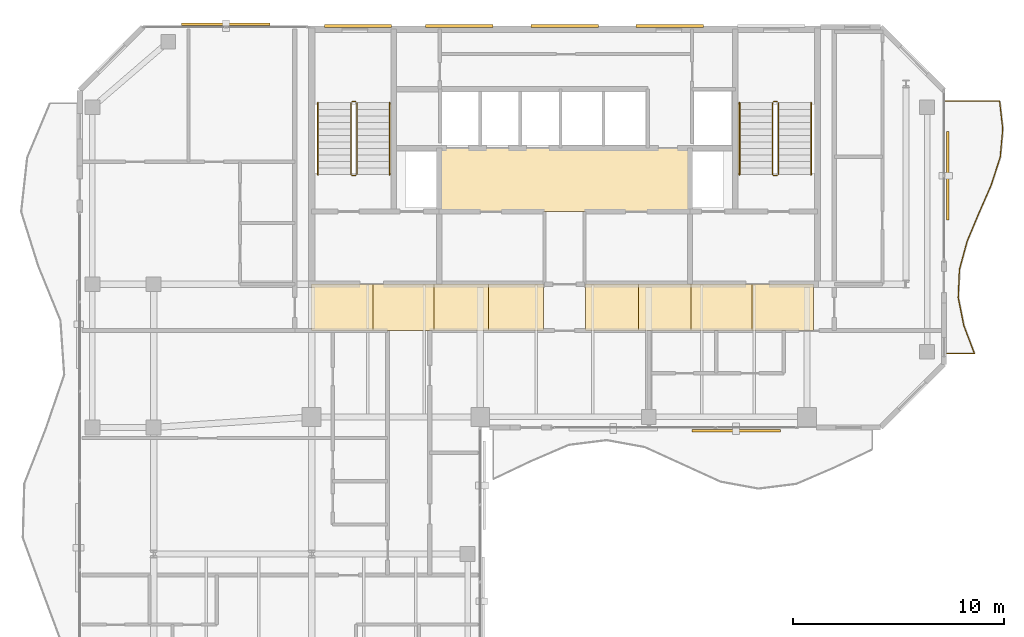
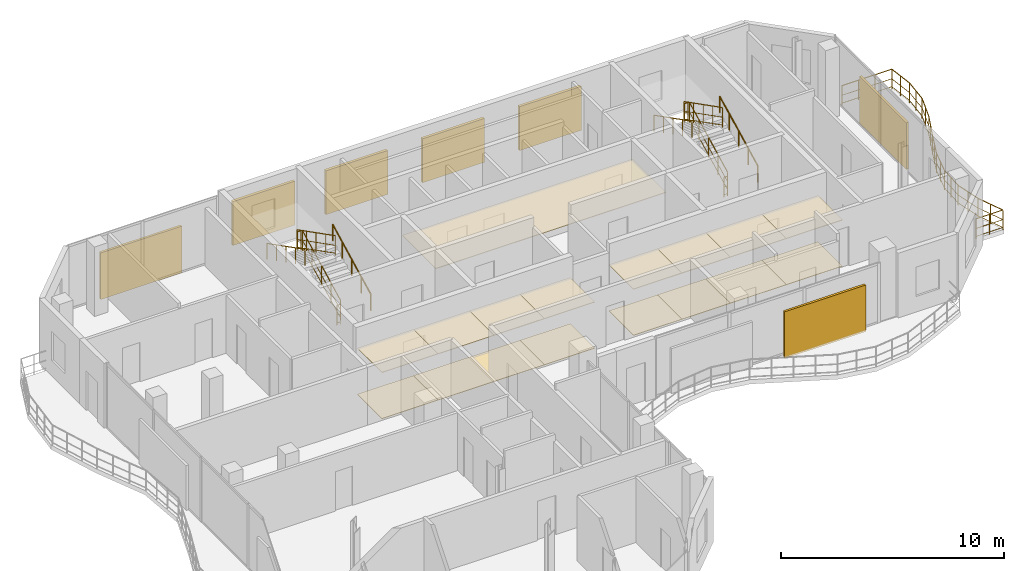
# One storey, part 22 of 23: 17 coverings, 13 railings, 7 shading devices.
"""IFC4 building model written with IfcOpenShell, lengths in metres."""

import ifcopenshell
import ifcopenshell.guid

model = None  # the IFC model being written
_history = None  # IfcOwnerHistory: only IFC2X3 demands one
_inside = {}  # id of a spatial element -> (the spatial element, [elements in it])
_under = {}  # id of a project, library or spatial element -> (it, [spatial elements below it])
_declared = {}  # id of a project -> (the project, [libraries it declares])
_typed = {}  # id of a type object -> (the type object, [elements of that type])
_made_of = {}  # id of a material, layer set ... -> (it, [elements and type objects made of it])


def new_model(schema):
    """Start an empty IFC model of exactly this schema.

    Asked for "IFC4X3", IfcOpenShell would pick the latest addendum, in which some entities
    have other attributes; the version numbers below select the first issue.
    IFC2X3 requires an IfcOwnerHistory on every rooted entity: one is made here for all.
    """
    global model, _history
    if schema == "IFC4X3":
        model = ifcopenshell.file(schema_version=(4, 3, 0, 0))
    else:
        model = ifcopenshell.file(schema=schema)
    _inside.clear()
    _under.clear()
    _declared.clear()
    _typed.clear()
    _made_of.clear()
    _history = None
    if model.schema == "IFC2X3":
        org = make("IfcOrganization", Name="unknown")
        user = make(
            "IfcPersonAndOrganization",
            ThePerson=make("IfcPerson", FamilyName="unknown"),
            TheOrganization=org,
        )
        app = make(
            "IfcApplication",
            ApplicationDeveloper=org,
            Version="unknown",
            ApplicationFullName="unknown",
            ApplicationIdentifier="unknown",
        )
        _history = make(
            "IfcOwnerHistory",
            OwningUser=user,
            OwningApplication=app,
            ChangeAction="ADDED",
            CreationDate=0,
        )
    return model


def make(cls, **values):
    """One entity of the class cls with the attributes given. An attribute that is None is left unset."""
    return model.create_entity(
        cls, **{name: value for name, value in values.items() if value is not None}
    )


def rooted(cls, **values):
    """An entity with a GlobalId (a new one), such as an element, a storey or a relation."""
    return make(cls, GlobalId=ifcopenshell.guid.new(), OwnerHistory=_history, **values)


def si_unit(unit_type, name, prefix=None):
    """IfcSIUnit, for example si_unit("LENGTHUNIT", "METRE", prefix="MILLI")."""
    return make("IfcSIUnit", UnitType=unit_type, Prefix=prefix, Name=name)


def assignment(units):
    """IfcUnitAssignment: the units of a project."""
    return None if units is None else make("IfcUnitAssignment", Units=units)


def point(xyz):
    """IfcCartesianPoint."""
    return None if xyz is None else make("IfcCartesianPoint", Coordinates=xyz)


def direction(xyz):
    """IfcDirection."""
    return None if xyz is None else make("IfcDirection", DirectionRatios=xyz)


def frame(location, z_axis=None, x_axis=None):
    """IfcAxis2Placement3D, a coordinate frame: its origin and axes. An axis left out is left unset."""
    return make(
        "IfcAxis2Placement3D",
        Location=point(location),
        Axis=direction(z_axis),
        RefDirection=direction(x_axis),
    )


def frame_2d(location, x_axis=None):
    """IfcAxis2Placement2D, a coordinate frame in the plane: its origin and x axis."""
    return make(
        "IfcAxis2Placement2D", Location=point(location), RefDirection=direction(x_axis)
    )


def origin():
    """The frame at (0, 0, 0) with its axes left unset."""
    return frame((0.0, 0.0, 0.0))


def origin_2d():
    """The frame at (0, 0) in the plane with its x axis left unset."""
    return frame_2d((0.0, 0.0))


def place(relative_to, where):
    """IfcLocalPlacement: puts the frame where relative to a parent placement (None: the world)."""
    return make(
        "IfcLocalPlacement", PlacementRelTo=relative_to, RelativePlacement=where
    )


def context(
    kind, dimensions, precision=None, world=None, true_north=None, identifier=None
):
    """IfcGeometricRepresentationContext, for example the 3D "Model" context."""
    return make(
        "IfcGeometricRepresentationContext",
        ContextIdentifier=identifier,
        ContextType=kind,
        CoordinateSpaceDimension=dimensions,
        Precision=precision,
        WorldCoordinateSystem=world,
        TrueNorth=true_north,
    )


def subcontext(parent, identifier, kind, view, scale=None):
    """IfcGeometricRepresentationSubContext, for example "Body" below "Model"."""
    return make(
        "IfcGeometricRepresentationSubContext",
        ContextIdentifier=identifier,
        ContextType=kind,
        ParentContext=parent,
        TargetScale=scale,
        TargetView=view,
    )


def project(units=None, contexts=None):
    """IfcProject with its units and contexts."""
    return rooted(
        "IfcProject",
        Name="project",
        RepresentationContexts=contexts,
        UnitsInContext=assignment(units),
    )


def spatial(cls, under=None, at=None, **own):
    """A site, building, storey or space (cls), placed at a placement, below another one or the project."""
    s = rooted(cls, ObjectPlacement=at, **own)
    if under is not None:
        _under.setdefault(under.id(), (under, []))[1].append(s)
    return s


def polyline(points):
    """IfcPolyline through the points."""
    return make("IfcPolyline", Points=[point(p) for p in points])


def profile(cls, at=None, kind="AREA", **sizes):
    """A parametric profile (cls). Its sizes go by their IFC names, for example OverallWidth=200.0."""
    return make(cls, ProfileType=kind, Position=at, **sizes)


def rectangle(**sizes):
    """IfcRectangleProfileDef."""
    return profile("IfcRectangleProfileDef", **sizes)


def circle(**sizes):
    """IfcCircleProfileDef."""
    return profile("IfcCircleProfileDef", **sizes)


def outline(outer, holes=None, kind="AREA"):
    """IfcArbitraryClosedProfileDef: a profile drawn as a closed curve; with holes, ...WithVoids."""
    if holes is None:
        return make("IfcArbitraryClosedProfileDef", ProfileType=kind, OuterCurve=outer)
    return make(
        "IfcArbitraryProfileDefWithVoids",
        ProfileType=kind,
        OuterCurve=outer,
        InnerCurves=holes,
    )


def extrude(swept, where, along, depth):
    """IfcExtrudedAreaSolid: the profile swept, set in the frame where, extruded along a direction by depth."""
    return make(
        "IfcExtrudedAreaSolid",
        SweptArea=swept,
        Position=where,
        ExtrudedDirection=direction(along),
        Depth=depth,
    )


def shape(context_of_items, identifier, shape_type, items):
    """IfcShapeRepresentation: the items that make up one representation, for example the "Body"."""
    return make(
        "IfcShapeRepresentation",
        ContextOfItems=context_of_items,
        RepresentationIdentifier=identifier,
        RepresentationType=shape_type,
        Items=items,
    )


def material(Name=None, Category=None):
    """IfcMaterial."""
    return make("IfcMaterial", Name=Name, Category=Category)


def layer(
    of_material, thickness, ventilated=None, Name=None, Category=None, Priority=None
):
    """IfcMaterialLayer: one layer of a wall or slab, of a material (None: an air gap)."""
    return make(
        "IfcMaterialLayer",
        Material=of_material,
        LayerThickness=thickness,
        IsVentilated=ventilated,
        Name=Name,
        Category=Category,
        Priority=Priority,
    )


def layer_set(layers, Name=None):
    """IfcMaterialLayerSet."""
    return make("IfcMaterialLayerSet", MaterialLayers=layers, LayerSetName=Name)


def made_of(thing, what):
    """Note that an element or type object is made of a material, layer set ...; save() writes the relation."""
    if what is not None:
        _made_of.setdefault(what.id(), (what, []))[1].append(thing)
    return thing


def type_object(cls, material=None, **own):
    """A type object (cls), such as IfcWallType, which elements share."""
    return made_of(rooted(cls, **own), material)


def element(
    cls,
    number,
    at=None,
    inside=None,
    cuts=None,
    type_object=None,
    material=None,
    context=None,
    identifier="Body",
    shape_type=None,
    held_by="IfcProductDefinitionShape",
    body=None,
    shapes=None,
    **own,
):
    """One element of the class cls, such as IfcWall. Its Tag is "e" and its number.

    at: its placement. inside: the storey or other place that contains it. cuts: it is an
    opening in that element (IfcRelVoidsElement). A single representation is given by context,
    identifier, shape_type and body (its items); several are given by shapes. held_by: the class
    of the entity that holds the representations. save() writes the other relations.
    """
    e = rooted(cls, Tag="e%d" % number, ObjectPlacement=at, **own)
    if body is not None:
        shapes = [shape(context, identifier, shape_type, body)]
    if shapes is not None:
        e.Representation = make(held_by, Representations=shapes)
    if inside is not None:
        _inside.setdefault(inside.id(), (inside, []))[1].append(e)
    if cuts is not None:
        rooted(
            "IfcRelVoidsElement", RelatingBuildingElement=cuts, RelatedOpeningElement=e
        )
    if type_object is not None:
        _typed.setdefault(type_object.id(), (type_object, []))[1].append(e)
    return made_of(e, material)


def aggregate(whole, parts):
    """IfcRelAggregates: a whole, such as a stair, and the parts it consists of."""
    return rooted("IfcRelAggregates", RelatingObject=whole, RelatedObjects=parts)


def save(model, path):
    """Write the relations noted so far, then the file.

    IfcRelAggregates (storeys below a building ...), IfcRelContainedInSpatialStructure (elements
    in a storey), IfcRelDefinesByType, IfcRelAssociatesMaterial and IfcRelDeclares: one each for
    every whole, place, type object, material and project.
    """
    for whole, parts in _under.values():
        aggregate(whole, parts)
    for where, things in _inside.values():
        rooted(
            "IfcRelContainedInSpatialStructure",
            RelatedElements=things,
            RelatingStructure=where,
        )
    for kind, things in _typed.values():
        rooted("IfcRelDefinesByType", RelatedObjects=things, RelatingType=kind)
    for what, things in _made_of.values():
        rooted("IfcRelAssociatesMaterial", RelatedObjects=things, RelatingMaterial=what)
    for by, libraries in _declared.values():
        rooted("IfcRelDeclares", RelatingContext=by, RelatedDefinitions=libraries)
    model.write(path)


model = new_model("IFC4")

# Units and contexts
model_context = context("Model", 3, precision=1e-05, world=origin(), true_north=direction((0.0, 1.0)))
body_context = subcontext(model_context, "Body", "Model", "MODEL_VIEW")
ifc_project = project(units=[si_unit("LENGTHUNIT", "METRE"), si_unit("AREAUNIT", "SQUARE_METRE"), si_unit("VOLUMEUNIT", "CUBIC_METRE"), si_unit("PLANEANGLEUNIT", "RADIAN"), si_unit("MASSUNIT", "GRAM", prefix="KILO")], contexts=[model_context])

# Site, building, storey
site_placement = place(None, origin())
site = spatial("IfcSite", under=ifc_project, at=site_placement, CompositionType="ELEMENT")
building_placement = place(site_placement, origin())
building = spatial("IfcBuilding", under=site, at=building_placement, Name="Catumbela Crestline Tower", CompositionType="ELEMENT")
storey_placement = place(building_placement, frame((0.0, 0.0, 252.6)))
storey = spatial("IfcBuildingStorey", under=building, at=storey_placement, Name="L65", CompositionType="ELEMENT", Elevation=252.6)

# Coverings
ifc_material_1 = material(Name="Mineral-fibre acoustic ceiling")
ifc_layer_1 = layer(ifc_material_1, 0.03, Name="Mineral-fibre acoustic ceiling")
ifc_layer_set_1 = layer_set([ifc_layer_1], Name="Mineral-fibre acoustic ceiling")
covering_type_1 = type_object("IfcCoveringType", Name="CC-AC", PredefinedType="CEILING", material=ifc_layer_set_1)
covering_1_placement = place(storey_placement, frame((0.0, 0.0, 2.65)))
element("IfcCovering", 1, at=covering_1_placement, inside=storey, type_object=covering_type_1, Name="L65 Lift Lobby Acoustic Ceiling", PredefinedType="CEILING", context=body_context, shape_type="SweptSolid", body=[
    extrude(outline(polyline([(22.05, 34.25), (33.95, 34.25), (33.95, 37.25), (22.05, 37.25), (22.05, 34.25)])), origin(), (0.0, 0.0, 1.0), 0.03),
])
covering_2_placement = place(storey_placement, frame((0.0, 0.0, 2.52)))
element("IfcCovering", 2, at=covering_2_placement, inside=storey, type_object=covering_type_1, Name="L65 Corridor Acoustic Ceiling Bay 1", PredefinedType="CEILING", context=body_context, shape_type="SweptSolid", body=[
    extrude(outline(polyline([(16.0, 28.6), (18.9, 28.6), (18.9, 30.8), (16.0, 30.8), (16.0, 28.6)])), origin(), (0.0, 0.0, 1.0), 0.03),
])
covering_3_placement = place(storey_placement, frame((0.0, 0.0, 2.52)))
element("IfcCovering", 3, at=covering_3_placement, inside=storey, type_object=covering_type_1, Name="L65 Corridor Acoustic Ceiling Bay 2", PredefinedType="CEILING", context=body_context, shape_type="SweptSolid", body=[
    extrude(outline(polyline([(18.9, 28.6), (21.8, 28.6), (21.8, 30.8), (18.9, 30.8), (18.9, 28.6)])), origin(), (0.0, 0.0, 1.0), 0.03),
])
covering_4_placement = place(storey_placement, frame((0.0, 0.0, 2.52)))
element("IfcCovering", 4, at=covering_4_placement, inside=storey, type_object=covering_type_1, Name="L65 Corridor Acoustic Ceiling Bay 3", PredefinedType="CEILING", context=body_context, shape_type="SweptSolid", body=[
    extrude(outline(polyline([(21.8, 28.6), (24.4, 28.6), (24.4, 30.8), (21.8, 30.8), (21.8, 28.6)])), origin(), (0.0, 0.0, 1.0), 0.03),
])
covering_5_placement = place(storey_placement, frame((0.0, 0.0, 2.52)))
element("IfcCovering", 5, at=covering_5_placement, inside=storey, type_object=covering_type_1, Name="L65 Corridor Acoustic Ceiling Bay 4", PredefinedType="CEILING", context=body_context, shape_type="SweptSolid", body=[
    extrude(outline(polyline([(24.4, 28.6), (27.0, 28.6), (27.0, 30.8), (24.4, 30.8), (24.4, 28.6)])), origin(), (0.0, 0.0, 1.0), 0.03),
])
covering_6_placement = place(storey_placement, frame((0.0, 0.0, 2.52)))
element("IfcCovering", 6, at=covering_6_placement, inside=storey, type_object=covering_type_1, Name="L65 Corridor Acoustic Ceiling Bay 5", PredefinedType="CEILING", context=body_context, shape_type="SweptSolid", body=[
    extrude(outline(polyline([(29.0, 28.6), (31.5, 28.6), (31.5, 30.8), (29.0, 30.8), (29.0, 28.6)])), origin(), (0.0, 0.0, 1.0), 0.03),
])
covering_7_placement = place(storey_placement, frame((0.0, 0.0, 2.52)))
element("IfcCovering", 7, at=covering_7_placement, inside=storey, type_object=covering_type_1, Name="L65 Corridor Acoustic Ceiling Bay 6", PredefinedType="CEILING", context=body_context, shape_type="SweptSolid", body=[
    extrude(outline(polyline([(31.5, 28.6), (34.0, 28.6), (34.0, 30.8), (31.5, 30.8), (31.5, 28.6)])), origin(), (0.0, 0.0, 1.0), 0.03),
])
covering_8_placement = place(storey_placement, frame((0.0, 0.0, 2.52)))
element("IfcCovering", 8, at=covering_8_placement, inside=storey, type_object=covering_type_1, Name="L65 Corridor Acoustic Ceiling Bay 7", PredefinedType="CEILING", context=body_context, shape_type="SweptSolid", body=[
    extrude(outline(polyline([(34.0, 28.6), (36.9, 28.6), (36.9, 30.8), (34.0, 30.8), (34.0, 28.6)])), origin(), (0.0, 0.0, 1.0), 0.03),
])
covering_9_placement = place(storey_placement, frame((0.0, 0.0, 2.52)))
element("IfcCovering", 9, at=covering_9_placement, inside=storey, type_object=covering_type_1, Name="L65 Corridor Acoustic Ceiling Bay 8", PredefinedType="CEILING", context=body_context, shape_type="SweptSolid", body=[
    extrude(outline(polyline([(36.9, 28.6), (39.8, 28.6), (39.8, 30.8), (36.9, 30.8), (36.9, 28.6)])), origin(), (0.0, 0.0, 1.0), 0.03),
])
ifc_material_2 = material(Name="Angolan grey-ochre granite", Category="masonry")
ifc_layer_2 = layer(ifc_material_2, 0.025, Name="Angolan grey-ochre granite")
ifc_layer_set_2 = layer_set([ifc_layer_2], Name="Angolan grey-ochre granite")
covering_type_2 = type_object("IfcCoveringType", Name="CF-GR", PredefinedType="FLOORING", material=ifc_layer_set_2)
covering_10_placement = place(storey_placement, origin())
element("IfcCovering", 10, at=covering_10_placement, inside=storey, type_object=covering_type_2, Name="L65 Corridor Granite Flooring Bay 1", PredefinedType="FLOORING", context=body_context, shape_type="SweptSolid", body=[
    extrude(outline(polyline([(16.0, 28.6), (18.9, 28.6), (18.9, 30.8), (16.0, 30.8), (16.0, 28.6)])), origin(), (0.0, 0.0, 1.0), 0.025),
])
covering_11_placement = place(storey_placement, origin())
element("IfcCovering", 11, at=covering_11_placement, inside=storey, type_object=covering_type_2, Name="L65 Corridor Granite Flooring Bay 2", PredefinedType="FLOORING", context=body_context, shape_type="SweptSolid", body=[
    extrude(outline(polyline([(18.9, 28.6), (21.8, 28.6), (21.8, 30.8), (18.9, 30.8), (18.9, 28.6)])), origin(), (0.0, 0.0, 1.0), 0.025),
])
covering_12_placement = place(storey_placement, origin())
element("IfcCovering", 12, at=covering_12_placement, inside=storey, type_object=covering_type_2, Name="L65 Corridor Granite Flooring Bay 3", PredefinedType="FLOORING", context=body_context, shape_type="SweptSolid", body=[
    extrude(outline(polyline([(21.8, 28.6), (24.4, 28.6), (24.4, 30.8), (21.8, 30.8), (21.8, 28.6)])), origin(), (0.0, 0.0, 1.0), 0.025),
])
covering_13_placement = place(storey_placement, origin())
element("IfcCovering", 13, at=covering_13_placement, inside=storey, type_object=covering_type_2, Name="L65 Corridor Granite Flooring Bay 4", PredefinedType="FLOORING", context=body_context, shape_type="SweptSolid", body=[
    extrude(outline(polyline([(24.4, 28.6), (27.0, 28.6), (27.0, 30.8), (24.4, 30.8), (24.4, 28.6)])), origin(), (0.0, 0.0, 1.0), 0.025),
])
covering_14_placement = place(storey_placement, origin())
element("IfcCovering", 14, at=covering_14_placement, inside=storey, type_object=covering_type_2, Name="L65 Corridor Granite Flooring Bay 5", PredefinedType="FLOORING", context=body_context, shape_type="SweptSolid", body=[
    extrude(outline(polyline([(29.0, 28.6), (31.5, 28.6), (31.5, 30.8), (29.0, 30.8), (29.0, 28.6)])), origin(), (0.0, 0.0, 1.0), 0.025),
])
covering_15_placement = place(storey_placement, origin())
element("IfcCovering", 15, at=covering_15_placement, inside=storey, type_object=covering_type_2, Name="L65 Corridor Granite Flooring Bay 6", PredefinedType="FLOORING", context=body_context, shape_type="SweptSolid", body=[
    extrude(outline(polyline([(31.5, 28.6), (34.0, 28.6), (34.0, 30.8), (31.5, 30.8), (31.5, 28.6)])), origin(), (0.0, 0.0, 1.0), 0.025),
])
covering_16_placement = place(storey_placement, origin())
element("IfcCovering", 16, at=covering_16_placement, inside=storey, type_object=covering_type_2, Name="L65 Corridor Granite Flooring Bay 7", PredefinedType="FLOORING", context=body_context, shape_type="SweptSolid", body=[
    extrude(outline(polyline([(34.0, 28.6), (36.9, 28.6), (36.9, 30.8), (34.0, 30.8), (34.0, 28.6)])), origin(), (0.0, 0.0, 1.0), 0.025),
])
covering_17_placement = place(storey_placement, origin())
element("IfcCovering", 17, at=covering_17_placement, inside=storey, type_object=covering_type_2, Name="L65 Corridor Granite Flooring Bay 8", PredefinedType="FLOORING", context=body_context, shape_type="SweptSolid", body=[
    extrude(outline(polyline([(36.9, 28.6), (39.8, 28.6), (39.8, 30.8), (36.9, 30.8), (36.9, 28.6)])), origin(), (0.0, 0.0, 1.0), 0.025),
])

# Railings
ifc_material_3 = material(Name="Stainless steel EN 1.4401", Category="steel")
railing_type_1 = type_object("IfcRailingType", Name="RB-1100", PredefinedType="BALUSTRADE", material=ifc_material_3)
railing_1_placement = place(storey_placement, frame((46.06, 27.5, 0.0)))
element("IfcRailing", 18, at=railing_1_placement, inside=storey, type_object=railing_type_1, Name="L65 Private Wave Balcony Balustrade 2", PredefinedType="BALUSTRADE", context=body_context, shape_type="SweptSolid", body=[
    extrude(circle(Radius=0.024, at=origin_2d()), frame((0.0, 0.0, 1.076), z_axis=(1.0, 0.0, 0.0), x_axis=(0.0, 1.0, 0.0)), (0.0, 0.0, 1.0), 1.3902),
    extrude(circle(Radius=0.0156, at=origin_2d()), frame((0.0, 0.0, 0.55), z_axis=(1.0, 0.0, 0.0), x_axis=(0.0, 1.0, 0.0)), (0.0, 0.0, 1.0), 1.3902),
    extrude(circle(Radius=0.0156, at=origin_2d()), frame((0.0, 0.0, 0.12), z_axis=(1.0, 0.0, 0.0), x_axis=(0.0, 1.0, 0.0)), (0.0, 0.0, 1.0), 1.3902),
    extrude(circle(Radius=0.024, at=origin_2d()), frame((1.3902, 0.0, 1.076), z_axis=(-0.355613430539, 0.934633130175, 0.0), x_axis=(-0.934633130175, -0.355613430539, 0.0)), (0.0, 0.0, 1.0), 1.4265),
    extrude(circle(Radius=0.0156, at=origin_2d()), frame((1.3902, 0.0, 0.55), z_axis=(-0.355613430539, 0.934633130175, 0.0), x_axis=(-0.934633130175, -0.355613430539, 0.0)), (0.0, 0.0, 1.0), 1.4265),
    extrude(circle(Radius=0.0156, at=origin_2d()), frame((1.3902, 0.0, 0.12), z_axis=(-0.355613430539, 0.934633130175, 0.0), x_axis=(-0.934633130175, -0.355613430539, 0.0)), (0.0, 0.0, 1.0), 1.4265),
    extrude(circle(Radius=0.024, at=origin_2d()), frame((0.8829, 1.3333, 1.076), z_axis=(-0.194927752312, 0.980817603522, 0.0), x_axis=(-0.980817603522, -0.194927752312, 0.0)), (0.0, 0.0, 1.0), 1.3595),
    extrude(circle(Radius=0.0156, at=origin_2d()), frame((0.8829, 1.3333, 0.55), z_axis=(-0.194927752312, 0.980817603522, 0.0), x_axis=(-0.980817603522, -0.194927752312, 0.0)), (0.0, 0.0, 1.0), 1.3595),
    extrude(circle(Radius=0.0156, at=origin_2d()), frame((0.8829, 1.3333, 0.12), z_axis=(-0.194927752312, 0.980817603522, 0.0), x_axis=(-0.980817603522, -0.194927752312, 0.0)), (0.0, 0.0, 1.0), 1.3595),
    extrude(circle(Radius=0.024, at=origin_2d()), frame((0.6179, 2.6667, 1.076), z_axis=(0.043235614594, 0.999064903613, 0.0), x_axis=(-0.999064903613, 0.043235614594, 0.0)), (0.0, 0.0, 1.0), 1.3345),
    extrude(circle(Radius=0.0156, at=origin_2d()), frame((0.6179, 2.6667, 0.55), z_axis=(0.043235614594, 0.999064903613, 0.0), x_axis=(-0.999064903613, 0.043235614594, 0.0)), (0.0, 0.0, 1.0), 1.3345),
    extrude(circle(Radius=0.0156, at=origin_2d()), frame((0.6179, 2.6667, 0.12), z_axis=(0.043235614594, 0.999064903613, 0.0), x_axis=(-0.999064903613, 0.043235614594, 0.0)), (0.0, 0.0, 1.0), 1.3345),
    extrude(circle(Radius=0.024, at=origin_2d()), frame((0.6756, 4.0, 1.076), z_axis=(0.262694864344, 0.964878960413, 0.0), x_axis=(-0.964878960413, 0.262694864344, 0.0)), (0.0, 0.0, 1.0), 1.3818),
    extrude(circle(Radius=0.0156, at=origin_2d()), frame((0.6756, 4.0, 0.55), z_axis=(0.262694864344, 0.964878960413, 0.0), x_axis=(-0.964878960413, 0.262694864344, 0.0)), (0.0, 0.0, 1.0), 1.3818),
    extrude(circle(Radius=0.0156, at=origin_2d()), frame((0.6756, 4.0, 0.12), z_axis=(0.262694864344, 0.964878960413, 0.0), x_axis=(-0.964878960413, 0.262694864344, 0.0)), (0.0, 0.0, 1.0), 1.3818),
    extrude(circle(Radius=0.024, at=origin_2d()), frame((1.0386, 5.3333, 1.076), z_axis=(0.385980642266, 0.922506880081, 0.0), x_axis=(-0.922506880081, 0.385980642266, 0.0)), (0.0, 0.0, 1.0), 1.4454),
    extrude(circle(Radius=0.0156, at=origin_2d()), frame((1.0386, 5.3333, 0.55), z_axis=(0.385980642266, 0.922506880081, 0.0), x_axis=(-0.922506880081, 0.385980642266, 0.0)), (0.0, 0.0, 1.0), 1.4454),
    extrude(circle(Radius=0.0156, at=origin_2d()), frame((1.0386, 5.3333, 0.12), z_axis=(0.385980642266, 0.922506880081, 0.0), x_axis=(-0.922506880081, 0.385980642266, 0.0)), (0.0, 0.0, 1.0), 1.4454),
    extrude(circle(Radius=0.024, at=origin_2d()), frame((1.5965, 6.6667, 1.076), z_axis=(0.400808020005, 0.916162065957, 0.0), x_axis=(-0.916162065957, 0.400808020005, 0.0)), (0.0, 0.0, 1.0), 1.4553),
    extrude(circle(Radius=0.0156, at=origin_2d()), frame((1.5965, 6.6667, 0.55), z_axis=(0.400808020005, 0.916162065957, 0.0), x_axis=(-0.916162065957, 0.400808020005, 0.0)), (0.0, 0.0, 1.0), 1.4553),
    extrude(circle(Radius=0.0156, at=origin_2d()), frame((1.5965, 6.6667, 0.12), z_axis=(0.400808020005, 0.916162065957, 0.0), x_axis=(-0.916162065957, 0.400808020005, 0.0)), (0.0, 0.0, 1.0), 1.4553),
    extrude(circle(Radius=0.024, at=origin_2d()), frame((2.1798, 8.0, 1.076), z_axis=(0.307844984535, 0.951436527308, 0.0), x_axis=(-0.951436527308, 0.307844984535, 0.0)), (0.0, 0.0, 1.0), 1.4014),
    extrude(circle(Radius=0.0156, at=origin_2d()), frame((2.1798, 8.0, 0.55), z_axis=(0.307844984535, 0.951436527308, 0.0), x_axis=(-0.951436527308, 0.307844984535, 0.0)), (0.0, 0.0, 1.0), 1.4014),
    extrude(circle(Radius=0.0156, at=origin_2d()), frame((2.1798, 8.0, 0.12), z_axis=(0.307844984535, 0.951436527308, 0.0), x_axis=(-0.951436527308, 0.307844984535, 0.0)), (0.0, 0.0, 1.0), 1.4014),
    extrude(circle(Radius=0.024, at=origin_2d()), frame((2.6112, 9.3333, 1.076), z_axis=(0.088744015739, 0.996054466217, 0.0), x_axis=(-0.996054466217, 0.088744015739, 0.0)), (0.0, 0.0, 1.0), 1.3387),
    extrude(circle(Radius=0.0156, at=origin_2d()), frame((2.6112, 9.3333, 0.55), z_axis=(0.088744015739, 0.996054466217, 0.0), x_axis=(-0.996054466217, 0.088744015739, 0.0)), (0.0, 0.0, 1.0), 1.3387),
    extrude(circle(Radius=0.0156, at=origin_2d()), frame((2.6112, 9.3333, 0.12), z_axis=(0.088744015739, 0.996054466217, 0.0), x_axis=(-0.996054466217, 0.088744015739, 0.0)), (0.0, 0.0, 1.0), 1.3387),
    extrude(circle(Radius=0.024, at=origin_2d()), frame((2.73, 10.6667, 1.076), z_axis=(-0.111871132295, 0.993722722775, 0.0), x_axis=(-0.993722722775, -0.111871132295, 0.0)), (0.0, 0.0, 1.0), 1.3417),
    extrude(circle(Radius=0.0156, at=origin_2d()), frame((2.73, 10.6667, 0.55), z_axis=(-0.111871132295, 0.993722722775, 0.0), x_axis=(-0.993722722775, -0.111871132295, 0.0)), (0.0, 0.0, 1.0), 1.3417),
    extrude(circle(Radius=0.0156, at=origin_2d()), frame((2.73, 10.6667, 0.12), z_axis=(-0.111871132295, 0.993722722775, 0.0), x_axis=(-0.993722722775, -0.111871132295, 0.0)), (0.0, 0.0, 1.0), 1.3417),
    extrude(circle(Radius=0.024, at=origin_2d()), frame((2.5799, 12.0, 1.076), z_axis=(-1.0, 0.0, 0.0), x_axis=(0.0, -1.0, 0.0)), (0.0, 0.0, 1.0), 2.5799),
    extrude(circle(Radius=0.0156, at=origin_2d()), frame((2.5799, 12.0, 0.55), z_axis=(-1.0, 0.0, 0.0), x_axis=(0.0, -1.0, 0.0)), (0.0, 0.0, 1.0), 2.5799),
    extrude(circle(Radius=0.0156, at=origin_2d()), frame((2.5799, 12.0, 0.12), z_axis=(-1.0, 0.0, 0.0), x_axis=(0.0, -1.0, 0.0)), (0.0, 0.0, 1.0), 2.5799),
    extrude(circle(Radius=0.021, at=origin_2d()), origin(), (0.0, 0.0, 1.0), 1.052),
    extrude(circle(Radius=0.021, at=origin_2d()), frame((0.6951, 0.0, 0.0)), (0.0, 0.0, 1.0), 1.052),
    extrude(circle(Radius=0.021, at=origin_2d()), frame((1.3902, 0.0, 0.0)), (0.0, 0.0, 1.0), 1.052),
    extrude(circle(Radius=0.021, at=origin_2d()), frame((1.1365, 0.6667, 0.0)), (0.0, 0.0, 1.0), 1.052),
    extrude(circle(Radius=0.021, at=origin_2d()), frame((0.8829, 1.3333, 0.0)), (0.0, 0.0, 1.0), 1.052),
    extrude(circle(Radius=0.021, at=origin_2d()), frame((0.7504, 2.0, 0.0)), (0.0, 0.0, 1.0), 1.052),
    extrude(circle(Radius=0.021, at=origin_2d()), frame((0.6179, 2.6667, 0.0)), (0.0, 0.0, 1.0), 1.052),
    extrude(circle(Radius=0.021, at=origin_2d()), frame((0.6467, 3.3333, 0.0)), (0.0, 0.0, 1.0), 1.052),
    extrude(circle(Radius=0.021, at=origin_2d()), frame((0.6756, 4.0, 0.0)), (0.0, 0.0, 1.0), 1.052),
    extrude(circle(Radius=0.021, at=origin_2d()), frame((0.8571, 4.6667, 0.0)), (0.0, 0.0, 1.0), 1.052),
    extrude(circle(Radius=0.021, at=origin_2d()), frame((1.0386, 5.3333, 0.0)), (0.0, 0.0, 1.0), 1.052),
    extrude(circle(Radius=0.021, at=origin_2d()), frame((1.3175, 6.0, 0.0)), (0.0, 0.0, 1.0), 1.052),
    extrude(circle(Radius=0.021, at=origin_2d()), frame((1.5965, 6.6667, 0.0)), (0.0, 0.0, 1.0), 1.052),
    extrude(circle(Radius=0.021, at=origin_2d()), frame((1.8881, 7.3334, 0.0)), (0.0, 0.0, 1.0), 1.052),
    extrude(circle(Radius=0.021, at=origin_2d()), frame((2.1798, 8.0, 0.0)), (0.0, 0.0, 1.0), 1.052),
    extrude(circle(Radius=0.021, at=origin_2d()), frame((2.3955, 8.6666, 0.0)), (0.0, 0.0, 1.0), 1.052),
    extrude(circle(Radius=0.021, at=origin_2d()), frame((2.6112, 9.3333, 0.0)), (0.0, 0.0, 1.0), 1.052),
    extrude(circle(Radius=0.021, at=origin_2d()), frame((2.6706, 10.0, 0.0)), (0.0, 0.0, 1.0), 1.052),
    extrude(circle(Radius=0.021, at=origin_2d()), frame((2.73, 10.6667, 0.0)), (0.0, 0.0, 1.0), 1.052),
    extrude(circle(Radius=0.021, at=origin_2d()), frame((2.6549, 11.3334, 0.0)), (0.0, 0.0, 1.0), 1.052),
    extrude(circle(Radius=0.021, at=origin_2d()), frame((2.5799, 12.0, 0.0)), (0.0, 0.0, 1.0), 1.052),
    extrude(circle(Radius=0.021, at=origin_2d()), frame((1.7199, 12.0, 0.0)), (0.0, 0.0, 1.0), 1.052),
    extrude(circle(Radius=0.021, at=origin_2d()), frame((0.86, 12.0, 0.0)), (0.0, 0.0, 1.0), 1.052),
    extrude(circle(Radius=0.021, at=origin_2d()), frame((0.0, 12.0, 0.0)), (0.0, 0.0, 1.0), 1.052),
])
railing_type_2 = type_object("IfcRailingType", Name="RG-1100", PredefinedType="GUARDRAIL", material=ifc_material_3)
railing_2_placement = place(storey_placement, frame((18.14, 36.0, 0.1583)))
element("IfcRailing", 19, at=railing_2_placement, inside=storey, type_object=railing_type_2, Name="L65 ST-01 stair guard 1", PredefinedType="GUARDRAIL", context=body_context, shape_type="SweptSolid", body=[
    extrude(circle(Radius=0.024, at=origin_2d()), frame((0.0, 0.0, 1.076), z_axis=(0.0, 0.890560473983, 0.454864861447), x_axis=(-1.0, 0.0, 0.0)), (0.0, 0.0, 1.0), 3.829),
    extrude(circle(Radius=0.0156, at=origin_2d()), frame((0.0, 0.0, 0.55), z_axis=(0.0, 0.890560473983, 0.454864861447), x_axis=(-1.0, 0.0, 0.0)), (0.0, 0.0, 1.0), 3.829),
    extrude(circle(Radius=0.0156, at=origin_2d()), frame((0.0, 0.0, 0.12), z_axis=(0.0, 0.890560473983, 0.454864861447), x_axis=(-1.0, 0.0, 0.0)), (0.0, 0.0, 1.0), 3.829),
    extrude(circle(Radius=0.021, at=origin_2d()), origin(), (0.0, 0.0, 1.0), 1.052),
    extrude(circle(Radius=0.021, at=origin_2d()), frame((0.0, 0.8525, 0.4354)), (0.0, 0.0, 1.0), 1.052),
    extrude(circle(Radius=0.021, at=origin_2d()), frame((0.0, 1.705, 0.8709)), (0.0, 0.0, 1.0), 1.052),
    extrude(circle(Radius=0.021, at=origin_2d()), frame((0.0, 2.5575, 1.3063)), (0.0, 0.0, 1.0), 1.052),
    extrude(circle(Radius=0.021, at=origin_2d()), frame((0.0, 3.41, 1.7417)), (0.0, 0.0, 1.0), 1.052),
])
railing_3_placement = place(storey_placement, frame((18.09, 39.46, 1.9)))
element("IfcRailing", 20, at=railing_3_placement, inside=storey, type_object=railing_type_2, Name="L65 ST-01 stair guard 2", PredefinedType="GUARDRAIL", context=body_context, shape_type="SweptSolid", body=[
    extrude(circle(Radius=0.024, at=origin_2d()), frame((0.0, 0.0, 1.076), z_axis=(-1.0, 0.0, 0.0), x_axis=(0.0, -1.0, 0.0)), (0.0, 0.0, 1.0), 0.18),
    extrude(circle(Radius=0.0156, at=origin_2d()), frame((0.0, 0.0, 0.55), z_axis=(-1.0, 0.0, 0.0), x_axis=(0.0, -1.0, 0.0)), (0.0, 0.0, 1.0), 0.18),
    extrude(circle(Radius=0.0156, at=origin_2d()), frame((0.0, 0.0, 0.12), z_axis=(-1.0, 0.0, 0.0), x_axis=(0.0, -1.0, 0.0)), (0.0, 0.0, 1.0), 0.18),
    extrude(circle(Radius=0.021, at=origin_2d()), origin(), (0.0, 0.0, 1.0), 1.052),
    extrude(circle(Radius=0.021, at=origin_2d()), frame((-0.18, 0.0, 0.0)), (0.0, 0.0, 1.0), 1.052),
])
railing_4_placement = place(storey_placement, frame((17.86, 39.41, 2.0583)))
element("IfcRailing", 21, at=railing_4_placement, inside=storey, type_object=railing_type_2, Name="L65 ST-01 stair guard 3", PredefinedType="GUARDRAIL", context=body_context, shape_type="SweptSolid", body=[
    extrude(circle(Radius=0.024, at=origin_2d()), frame((0.0, 0.0, 1.076), z_axis=(0.0, -0.890560473983, 0.454864861447), x_axis=(1.0, 0.0, 0.0)), (0.0, 0.0, 1.0), 3.829),
    extrude(circle(Radius=0.0156, at=origin_2d()), frame((0.0, 0.0, 0.55), z_axis=(0.0, -0.890560473983, 0.454864861447), x_axis=(1.0, 0.0, 0.0)), (0.0, 0.0, 1.0), 3.829),
    extrude(circle(Radius=0.0156, at=origin_2d()), frame((0.0, 0.0, 0.12), z_axis=(0.0, -0.890560473983, 0.454864861447), x_axis=(1.0, 0.0, 0.0)), (0.0, 0.0, 1.0), 3.829),
    extrude(circle(Radius=0.021, at=origin_2d()), origin(), (0.0, 0.0, 1.0), 1.052),
    extrude(circle(Radius=0.021, at=origin_2d()), frame((0.0, -0.8525, 0.4354)), (0.0, 0.0, 1.0), 1.052),
    extrude(circle(Radius=0.021, at=origin_2d()), frame((0.0, -1.705, 0.8708)), (0.0, 0.0, 1.0), 1.052),
    extrude(circle(Radius=0.021, at=origin_2d()), frame((0.0, -2.5575, 1.3063)), (0.0, 0.0, 1.0), 1.052),
    extrude(circle(Radius=0.021, at=origin_2d()), frame((0.0, -3.41, 1.7417)), (0.0, 0.0, 1.0), 1.052),
])
railing_5_placement = place(storey_placement, frame((18.09, 35.95, 0.0)))
element("IfcRailing", 22, at=railing_5_placement, inside=storey, type_object=railing_type_2, Name="L65 ST-01 stair guard 4", PredefinedType="GUARDRAIL", context=body_context, shape_type="SweptSolid", body=[
    extrude(circle(Radius=0.024, at=origin_2d()), frame((0.0, 0.0, 1.076), z_axis=(-1.0, 0.0, 0.0), x_axis=(0.0, -1.0, 0.0)), (0.0, 0.0, 1.0), 0.18),
    extrude(circle(Radius=0.0156, at=origin_2d()), frame((0.0, 0.0, 0.55), z_axis=(-1.0, 0.0, 0.0), x_axis=(0.0, -1.0, 0.0)), (0.0, 0.0, 1.0), 0.18),
    extrude(circle(Radius=0.0156, at=origin_2d()), frame((0.0, 0.0, 0.12), z_axis=(-1.0, 0.0, 0.0), x_axis=(0.0, -1.0, 0.0)), (0.0, 0.0, 1.0), 0.18),
    extrude(circle(Radius=0.021, at=origin_2d()), origin(), (0.0, 0.0, 1.0), 1.052),
    extrude(circle(Radius=0.021, at=origin_2d()), frame((-0.18, 0.0, 0.0)), (0.0, 0.0, 1.0), 1.052),
])
railing_6_placement = place(storey_placement, frame((38.14, 36.0, 0.1583)))
element("IfcRailing", 23, at=railing_6_placement, inside=storey, type_object=railing_type_2, Name="L65 ST-02 stair guard 1", PredefinedType="GUARDRAIL", context=body_context, shape_type="SweptSolid", body=[
    extrude(circle(Radius=0.024, at=origin_2d()), frame((0.0, 0.0, 1.076), z_axis=(0.0, 0.890560473983, 0.454864861447), x_axis=(-1.0, 0.0, 0.0)), (0.0, 0.0, 1.0), 3.829),
    extrude(circle(Radius=0.0156, at=origin_2d()), frame((0.0, 0.0, 0.55), z_axis=(0.0, 0.890560473983, 0.454864861447), x_axis=(-1.0, 0.0, 0.0)), (0.0, 0.0, 1.0), 3.829),
    extrude(circle(Radius=0.0156, at=origin_2d()), frame((0.0, 0.0, 0.12), z_axis=(0.0, 0.890560473983, 0.454864861447), x_axis=(-1.0, 0.0, 0.0)), (0.0, 0.0, 1.0), 3.829),
    extrude(circle(Radius=0.021, at=origin_2d()), origin(), (0.0, 0.0, 1.0), 1.052),
    extrude(circle(Radius=0.021, at=origin_2d()), frame((0.0, 0.8525, 0.4354)), (0.0, 0.0, 1.0), 1.052),
    extrude(circle(Radius=0.021, at=origin_2d()), frame((0.0, 1.705, 0.8709)), (0.0, 0.0, 1.0), 1.052),
    extrude(circle(Radius=0.021, at=origin_2d()), frame((0.0, 2.5575, 1.3063)), (0.0, 0.0, 1.0), 1.052),
    extrude(circle(Radius=0.021, at=origin_2d()), frame((0.0, 3.41, 1.7417)), (0.0, 0.0, 1.0), 1.052),
])
railing_7_placement = place(storey_placement, frame((38.09, 39.46, 1.9)))
element("IfcRailing", 24, at=railing_7_placement, inside=storey, type_object=railing_type_2, Name="L65 ST-02 stair guard 2", PredefinedType="GUARDRAIL", context=body_context, shape_type="SweptSolid", body=[
    extrude(circle(Radius=0.024, at=origin_2d()), frame((0.0, 0.0, 1.076), z_axis=(-1.0, 0.0, 0.0), x_axis=(0.0, -1.0, 0.0)), (0.0, 0.0, 1.0), 0.18),
    extrude(circle(Radius=0.0156, at=origin_2d()), frame((0.0, 0.0, 0.55), z_axis=(-1.0, 0.0, 0.0), x_axis=(0.0, -1.0, 0.0)), (0.0, 0.0, 1.0), 0.18),
    extrude(circle(Radius=0.0156, at=origin_2d()), frame((0.0, 0.0, 0.12), z_axis=(-1.0, 0.0, 0.0), x_axis=(0.0, -1.0, 0.0)), (0.0, 0.0, 1.0), 0.18),
    extrude(circle(Radius=0.021, at=origin_2d()), origin(), (0.0, 0.0, 1.0), 1.052),
    extrude(circle(Radius=0.021, at=origin_2d()), frame((-0.18, 0.0, 0.0)), (0.0, 0.0, 1.0), 1.052),
])
railing_8_placement = place(storey_placement, frame((37.86, 39.41, 2.0583)))
element("IfcRailing", 25, at=railing_8_placement, inside=storey, type_object=railing_type_2, Name="L65 ST-02 stair guard 3", PredefinedType="GUARDRAIL", context=body_context, shape_type="SweptSolid", body=[
    extrude(circle(Radius=0.024, at=origin_2d()), frame((0.0, 0.0, 1.076), z_axis=(0.0, -0.890560473983, 0.454864861447), x_axis=(1.0, 0.0, 0.0)), (0.0, 0.0, 1.0), 3.829),
    extrude(circle(Radius=0.0156, at=origin_2d()), frame((0.0, 0.0, 0.55), z_axis=(0.0, -0.890560473983, 0.454864861447), x_axis=(1.0, 0.0, 0.0)), (0.0, 0.0, 1.0), 3.829),
    extrude(circle(Radius=0.0156, at=origin_2d()), frame((0.0, 0.0, 0.12), z_axis=(0.0, -0.890560473983, 0.454864861447), x_axis=(1.0, 0.0, 0.0)), (0.0, 0.0, 1.0), 3.829),
    extrude(circle(Radius=0.021, at=origin_2d()), origin(), (0.0, 0.0, 1.0), 1.052),
    extrude(circle(Radius=0.021, at=origin_2d()), frame((0.0, -0.8525, 0.4354)), (0.0, 0.0, 1.0), 1.052),
    extrude(circle(Radius=0.021, at=origin_2d()), frame((0.0, -1.705, 0.8708)), (0.0, 0.0, 1.0), 1.052),
    extrude(circle(Radius=0.021, at=origin_2d()), frame((0.0, -2.5575, 1.3063)), (0.0, 0.0, 1.0), 1.052),
    extrude(circle(Radius=0.021, at=origin_2d()), frame((0.0, -3.41, 1.7417)), (0.0, 0.0, 1.0), 1.052),
])
railing_9_placement = place(storey_placement, frame((38.09, 35.95, 0.0)))
element("IfcRailing", 26, at=railing_9_placement, inside=storey, type_object=railing_type_2, Name="L65 ST-02 stair guard 4", PredefinedType="GUARDRAIL", context=body_context, shape_type="SweptSolid", body=[
    extrude(circle(Radius=0.024, at=origin_2d()), frame((0.0, 0.0, 1.076), z_axis=(-1.0, 0.0, 0.0), x_axis=(0.0, -1.0, 0.0)), (0.0, 0.0, 1.0), 0.18),
    extrude(circle(Radius=0.0156, at=origin_2d()), frame((0.0, 0.0, 0.55), z_axis=(-1.0, 0.0, 0.0), x_axis=(0.0, -1.0, 0.0)), (0.0, 0.0, 1.0), 0.18),
    extrude(circle(Radius=0.0156, at=origin_2d()), frame((0.0, 0.0, 0.12), z_axis=(-1.0, 0.0, 0.0), x_axis=(0.0, -1.0, 0.0)), (0.0, 0.0, 1.0), 0.18),
    extrude(circle(Radius=0.021, at=origin_2d()), origin(), (0.0, 0.0, 1.0), 1.052),
    extrude(circle(Radius=0.021, at=origin_2d()), frame((-0.18, 0.0, 0.0)), (0.0, 0.0, 1.0), 1.052),
])
railing_type_3 = type_object("IfcRailingType", Name="RH-0900", PredefinedType="HANDRAIL", material=ifc_material_3)
railing_10_placement = place(storey_placement, frame((19.7, 36.0, 0.1583)))
element("IfcRailing", 27, at=railing_10_placement, inside=storey, type_object=railing_type_3, Name="L65 ST-01 stair handrail 1", PredefinedType="HANDRAIL", context=body_context, shape_type="SweptSolid", body=[
    extrude(circle(Radius=0.024, at=origin_2d()), frame((0.0, 0.0, 0.876), z_axis=(0.0, 0.890560473983, 0.454864861447), x_axis=(-1.0, 0.0, 0.0)), (0.0, 0.0, 1.0), 3.829),
    extrude(circle(Radius=0.021, at=origin_2d()), origin(), (0.0, 0.0, 1.0), 0.852),
    extrude(circle(Radius=0.021, at=origin_2d()), frame((0.0, 0.8525, 0.4354)), (0.0, 0.0, 1.0), 0.852),
    extrude(circle(Radius=0.021, at=origin_2d()), frame((0.0, 1.705, 0.8709)), (0.0, 0.0, 1.0), 0.852),
    extrude(circle(Radius=0.021, at=origin_2d()), frame((0.0, 2.5575, 1.3063)), (0.0, 0.0, 1.0), 0.852),
    extrude(circle(Radius=0.021, at=origin_2d()), frame((0.0, 3.41, 1.7417)), (0.0, 0.0, 1.0), 0.852),
])
railing_11_placement = place(storey_placement, frame((16.3, 39.41, 2.0583)))
element("IfcRailing", 28, at=railing_11_placement, inside=storey, type_object=railing_type_3, Name="L65 ST-01 stair handrail 2", PredefinedType="HANDRAIL", context=body_context, shape_type="SweptSolid", body=[
    extrude(circle(Radius=0.024, at=origin_2d()), frame((0.0, 0.0, 0.876), z_axis=(0.0, -0.890560473983, 0.454864861447), x_axis=(1.0, 0.0, 0.0)), (0.0, 0.0, 1.0), 3.829),
    extrude(circle(Radius=0.021, at=origin_2d()), origin(), (0.0, 0.0, 1.0), 0.852),
    extrude(circle(Radius=0.021, at=origin_2d()), frame((0.0, -0.8525, 0.4354)), (0.0, 0.0, 1.0), 0.852),
    extrude(circle(Radius=0.021, at=origin_2d()), frame((0.0, -1.705, 0.8708)), (0.0, 0.0, 1.0), 0.852),
    extrude(circle(Radius=0.021, at=origin_2d()), frame((0.0, -2.5575, 1.3063)), (0.0, 0.0, 1.0), 0.852),
    extrude(circle(Radius=0.021, at=origin_2d()), frame((0.0, -3.41, 1.7417)), (0.0, 0.0, 1.0), 0.852),
])
railing_12_placement = place(storey_placement, frame((39.7, 36.0, 0.1583)))
element("IfcRailing", 29, at=railing_12_placement, inside=storey, type_object=railing_type_3, Name="L65 ST-02 stair handrail 1", PredefinedType="HANDRAIL", context=body_context, shape_type="SweptSolid", body=[
    extrude(circle(Radius=0.024, at=origin_2d()), frame((0.0, 0.0, 0.876), z_axis=(0.0, 0.890560473983, 0.454864861447), x_axis=(-1.0, 0.0, 0.0)), (0.0, 0.0, 1.0), 3.829),
    extrude(circle(Radius=0.021, at=origin_2d()), origin(), (0.0, 0.0, 1.0), 0.852),
    extrude(circle(Radius=0.021, at=origin_2d()), frame((0.0, 0.8525, 0.4354)), (0.0, 0.0, 1.0), 0.852),
    extrude(circle(Radius=0.021, at=origin_2d()), frame((0.0, 1.705, 0.8709)), (0.0, 0.0, 1.0), 0.852),
    extrude(circle(Radius=0.021, at=origin_2d()), frame((0.0, 2.5575, 1.3063)), (0.0, 0.0, 1.0), 0.852),
    extrude(circle(Radius=0.021, at=origin_2d()), frame((0.0, 3.41, 1.7417)), (0.0, 0.0, 1.0), 0.852),
])
railing_13_placement = place(storey_placement, frame((36.3, 39.41, 2.0583)))
element("IfcRailing", 30, at=railing_13_placement, inside=storey, type_object=railing_type_3, Name="L65 ST-02 stair handrail 2", PredefinedType="HANDRAIL", context=body_context, shape_type="SweptSolid", body=[
    extrude(circle(Radius=0.024, at=origin_2d()), frame((0.0, 0.0, 0.876), z_axis=(0.0, -0.890560473983, 0.454864861447), x_axis=(1.0, 0.0, 0.0)), (0.0, 0.0, 1.0), 3.829),
    extrude(circle(Radius=0.021, at=origin_2d()), origin(), (0.0, 0.0, 1.0), 0.852),
    extrude(circle(Radius=0.021, at=origin_2d()), frame((0.0, -0.8525, 0.4354)), (0.0, 0.0, 1.0), 0.852),
    extrude(circle(Radius=0.021, at=origin_2d()), frame((0.0, -1.705, 0.8708)), (0.0, 0.0, 1.0), 0.852),
    extrude(circle(Radius=0.021, at=origin_2d()), frame((0.0, -2.5575, 1.3063)), (0.0, 0.0, 1.0), 0.852),
    extrude(circle(Radius=0.021, at=origin_2d()), frame((0.0, -3.41, 1.7417)), (0.0, 0.0, 1.0), 0.852),
])

# Shading devices
ifc_material_4 = material(Name="Extruded terracotta ceramic", Category="masonry")
shading_device_type_1 = type_object("IfcShadingDeviceType", Name="ST-180", PredefinedType="USERDEFINED", material=ifc_material_4)
for number, where, z_axis, x_axis, name in (
    (31, (18.2, 43.04, 0.55), (0.0, 0.0, 1.0), (1.0, 0.0, 0.0), "L65 Rear Core Terracotta Brise-Soleil Screen 782"),
    (32, (33.0, 43.04, 0.55), (0.0, 0.0, 1.0), (1.0, 0.0, 0.0), "L65 Rear Core Terracotta Brise-Soleil Screen 785"),
):
    element("IfcShadingDevice", number, at=place(storey_placement, frame(where, z_axis=z_axis, x_axis=x_axis)), inside=storey, type_object=shading_device_type_1, Name=name, ObjectType="SCREEN", PredefinedType="USERDEFINED", context=body_context, shape_type="SweptSolid", body=[
        extrude(rectangle(XDim=3.2, YDim=0.14, at=origin_2d()), origin(), (0.0, 0.0, 1.0), 2.4),
    ])
shading_device_type_2 = type_object("IfcShadingDeviceType", Name="ST-260", PredefinedType="USERDEFINED", material=ifc_material_4)
shading_device_1_placement = place(storey_placement, frame((28.0, 43.04, 0.55), z_axis=(0.0, 0.0, 1.0), x_axis=(1.0, 0.0, 0.0)))
element("IfcShadingDevice", 33, at=shading_device_1_placement, inside=storey, type_object=shading_device_type_2, Name="L65 Rear Core Terracotta Brise-Soleil Screen 784", ObjectType="SCREEN", PredefinedType="USERDEFINED", context=body_context, shape_type="SweptSolid", body=[
    extrude(rectangle(XDim=3.2, YDim=0.14, at=origin_2d()), origin(), (0.0, 0.0, 1.0), 2.4),
])
for number, where, z_axis, x_axis, name in (
    (34, (36.1375, 23.857, -0.1), (0.0, 0.0, 1.0), (1.0, 0.0, 0.0), "L65 Perforated Terracotta Solar Screen 791 (260 mm)"),
    (35, (11.93, 43.143, -0.1), (0.0, 0.0, 1.0), (-1.0, 0.0, 0.0), "L65 Perforated Terracotta Solar Screen 793 (260 mm)"),
):
    element("IfcShadingDevice", number, at=place(storey_placement, frame(where, z_axis=z_axis, x_axis=x_axis)), inside=storey, type_object=shading_device_type_2, Name=name, ObjectType="SCREEN", PredefinedType="USERDEFINED", context=body_context, shape_type="SweptSolid", body=[
        extrude(rectangle(XDim=4.2, YDim=0.12, at=origin_2d()), origin(), (0.0, 0.0, 1.0), 2.55),
    ])
shading_device_type_3 = type_object("IfcShadingDeviceType", Name="ST-340", PredefinedType="USERDEFINED", material=ifc_material_4)
shading_device_2_placement = place(storey_placement, frame((23.0, 43.04, 0.55), z_axis=(0.0, 0.0, 1.0), x_axis=(1.0, 0.0, 0.0)))
element("IfcShadingDevice", 36, at=shading_device_2_placement, inside=storey, type_object=shading_device_type_3, Name="L65 Rear Core Terracotta Brise-Soleil Screen 783", ObjectType="SCREEN", PredefinedType="USERDEFINED", context=body_context, shape_type="SweptSolid", body=[
    extrude(rectangle(XDim=3.2, YDim=0.14, at=origin_2d()), origin(), (0.0, 0.0, 1.0), 2.4),
])
shading_device_3_placement = place(storey_placement, frame((46.187, 35.95, -0.1), z_axis=(0.0, 0.0, 1.0), x_axis=(0.0, 1.0, 0.0)))
element("IfcShadingDevice", 37, at=shading_device_3_placement, inside=storey, type_object=shading_device_type_3, Name="L65 Perforated Terracotta Solar Screen 792 (340 mm)", ObjectType="SCREEN", PredefinedType="USERDEFINED", context=body_context, shape_type="SweptSolid", body=[
    extrude(rectangle(XDim=4.2, YDim=0.12, at=origin_2d()), origin(), (0.0, 0.0, 1.0), 2.55),
])

save(model, "model.ifc")
